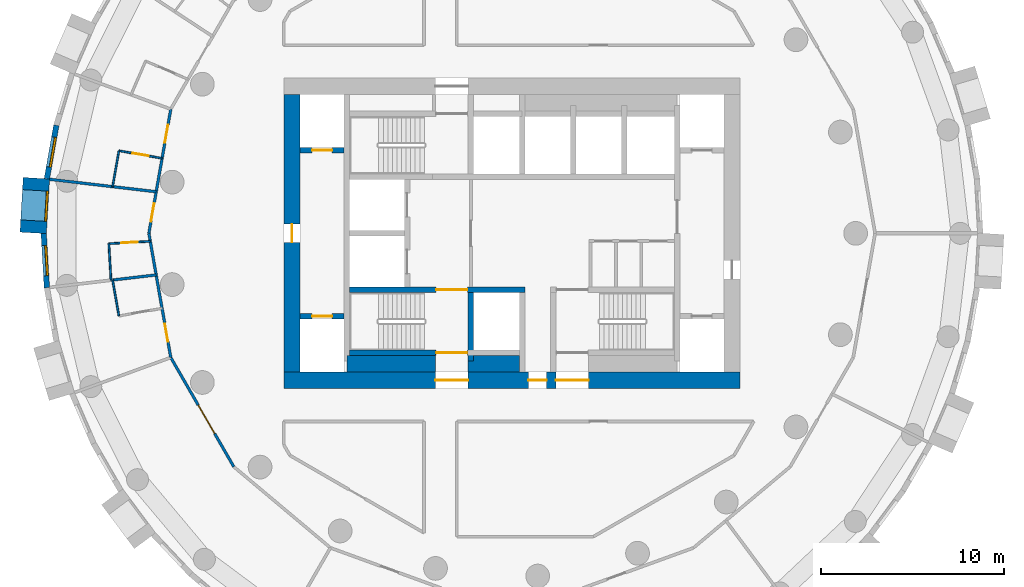
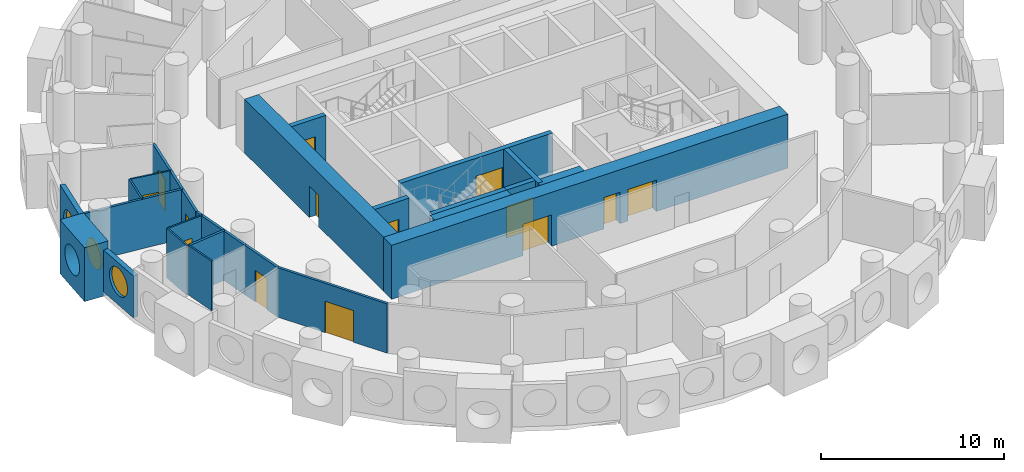
# One storey, part 3 of 10: 24 walls, 14 doors, 3 windows, 17 openings.
"""IFC4 building model written with IfcOpenShell, lengths in metres."""

from ifc_helpers import new_model, si_unit, direction, frame, frame_2d, origin, origin_2d, place, context, subcontext, project, spatial, rectangle, circle, extrude, material, layer, layer_set, type_object, element, fill, save


model = new_model("IFC4")

# Units and contexts
model_context = context("Model", 3, precision=1e-05, world=origin(), true_north=direction((0.0, 1.0)))
body_context = subcontext(model_context, "Body", "Model", "MODEL_VIEW")
ifc_project = project(units=[si_unit("LENGTHUNIT", "METRE"), si_unit("AREAUNIT", "SQUARE_METRE"), si_unit("VOLUMEUNIT", "CUBIC_METRE"), si_unit("PLANEANGLEUNIT", "RADIAN"), si_unit("MASSUNIT", "GRAM", prefix="KILO")], contexts=[model_context])

# Site, building, storey
site_placement = place(None, origin())
site = spatial("IfcSite", under=ifc_project, at=site_placement, CompositionType="ELEMENT")
building_placement = place(site_placement, origin())
building = spatial("IfcBuilding", under=site, at=building_placement, Name="Tracery Tower", CompositionType="ELEMENT")
storey_placement = place(building_placement, frame((0.0, 0.0, 136.800048828125)))
storey = spatial("IfcBuildingStorey", under=building, at=storey_placement, Name="L34", CompositionType="ELEMENT", Elevation=136.800048828125)

# Walls
ifc_material_1 = material(Name="Concrete C50/60", Category="concrete")
ifc_layer_1 = layer(ifc_material_1, 0.89990234375)
ifc_layer_set_1 = layer_set([ifc_layer_1], Name="Core strip wall 900 C50")
wall_type_1 = type_object("IfcWallType", Name="Core strip wall 900 C50", PredefinedType="SOLIDWALL", material=ifc_layer_set_1)
wall_1_placement = place(storey_placement, frame((-9.050048828125, -7.14990234375, 0.0), z_axis=(0.0, 0.0, 1.0), x_axis=(1.0, 0.0, 0.0)))
element("IfcWall", 1, at=wall_1_placement, inside=storey, type_object=wall_type_1, Name="L34 F thick S W", PredefinedType="SOLIDWALL", context=body_context, shape_type="SweptSolid", body=[
    extrude(rectangle(XDim=4.85009765625, YDim=0.89990234375, at=frame_2d((2.425048828125, 0.0))), origin(), (0.0, 0.0, 1.0), 3.300048828125),
])
wall_2_placement = place(storey_placement, frame((-2.39990234375, -7.14990234375, 0.0), z_axis=(0.0, 0.0, 1.0), x_axis=(1.0, 0.0, 0.0)))
element("IfcWall", 2, at=wall_2_placement, inside=storey, type_object=wall_type_1, Name="L34 F thick S mid", PredefinedType="SOLIDWALL", context=body_context, shape_type="SweptSolid", body=[
    extrude(rectangle(XDim=2.7998046875, YDim=0.89990234375, at=frame_2d((1.39990234375, 0.0))), origin(), (0.0, 0.0, 1.0), 3.300048828125),
])

# Wall, openings, doors
ifc_material_2 = material(Name="Concrete C50/60", Category="concrete")
ifc_layer_2 = layer(ifc_material_2, 0.89990234375)
ifc_layer_set_2 = layer_set([ifc_layer_2], Name="Core wall 900 C50")
wall_type_2 = type_object("IfcWallType", Name="Core wall 900 C50", PredefinedType="SOLIDWALL", material=ifc_layer_set_2)
wall_3_placement = place(storey_placement, frame((-12.5, -8.050048828125, 0.0), z_axis=(0.0, 0.0, 1.0), x_axis=(1.0, 0.0, 0.0)))
wall_3 = element("IfcWall", 3, at=wall_3_placement, inside=storey, type_object=wall_type_2, Name="L34 outer S", PredefinedType="SOLIDWALL", context=body_context, shape_type="SweptSolid", body=[
    extrude(rectangle(XDim=25.0, YDim=0.89990234375, at=frame_2d((12.5, 0.0))), origin(), (0.0, 0.0, 1.0), 3.599853515625),
])
opening_1_placement = place(wall_3_placement, frame((13.39990234375, 0.0, 0.0)))
opening_1 = element("IfcOpeningElement", 4, at=opening_1_placement, cuts=wall_3, Name="Opening KD16", PredefinedType="OPENING", context=body_context, shape_type="SweptSolid", body=[
    extrude(rectangle(XDim=1.0, YDim=2.10009765625, at=frame_2d((0.5, 1.050048828125))), frame((0.0, 0.449951171875, 0.0), z_axis=(0.0, -1.0, 0.0), x_axis=(1.0, 0.0, 0.0)), (0.0, 0.0, 1.0), 0.89990234375),
])
opening_2_placement = place(wall_3_placement, frame((8.300048828125, 0.0, 0.0)))
opening_2 = element("IfcOpeningElement", 5, at=opening_2_placement, cuts=wall_3, Name="Opening KD13", PredefinedType="OPENING", context=body_context, shape_type="SweptSolid", body=[
    extrude(rectangle(XDim=1.800048828125, YDim=2.10009765625, at=frame_2d((0.89990234375, 1.050048828125))), frame((0.0, 0.449951171875, 0.0), z_axis=(0.0, -1.0, 0.0), x_axis=(1.0, 0.0, 0.0)), (0.0, 0.0, 1.0), 0.89990234375),
])
opening_3_placement = place(wall_3_placement, frame((14.89990234375, 0.0, 0.0)))
opening_3 = element("IfcOpeningElement", 6, at=opening_3_placement, cuts=wall_3, Name="Opening KD13", PredefinedType="OPENING", context=body_context, shape_type="SweptSolid", body=[
    extrude(rectangle(XDim=1.800048828125, YDim=2.10009765625, at=frame_2d((0.89990234375, 1.050048828125))), frame((0.0, 0.449951171875, 0.0), z_axis=(0.0, -1.0, 0.0), x_axis=(1.0, 0.0, 0.0)), (0.0, 0.0, 1.0), 0.89990234375),
])
ifc_material_3 = material(Name="Steel fire door", Category="steel")
door_type_1 = type_object("IfcDoorType", Name="Core exit door 1000", OperationType="NOTDEFINED", PredefinedType="DOOR", material=ifc_material_3)
door_1_placement = place(opening_1_placement, origin())
door_1 = element("IfcDoor", 7, at=door_1_placement, inside=storey, type_object=door_type_1, Name="Core exit door", OperationType="SINGLE_SWING_LEFT", OverallHeight=2.10009765625, OverallWidth=1.0, PredefinedType="DOOR", context=body_context, shape_type="SweptSolid", body=[
    extrude(rectangle(XDim=1.0, YDim=2.10009765625, at=frame_2d((0.5, 1.050048828125))), frame((0.0, 0.02490234375, 0.0), z_axis=(0.0, -1.0, 0.0), x_axis=(1.0, 0.0, 0.0)), (0.0, 0.0, 1.0), 0.050048828125),
])
fill(opening_1, door_1)
ifc_material_4 = material(Name="Steel fire door", Category="steel")
door_type_2 = type_object("IfcDoorType", Name="Core exit door 1800 double", OperationType="NOTDEFINED", PredefinedType="DOOR", material=ifc_material_4)
door_2_placement = place(opening_2_placement, origin())
door_2 = element("IfcDoor", 8, at=door_2_placement, inside=storey, type_object=door_type_2, Name="Core exit door", OperationType="DOUBLE_DOOR_SINGLE_SWING", OverallHeight=2.10009765625, OverallWidth=1.800048828125, PredefinedType="DOOR", context=body_context, shape_type="SweptSolid", body=[
    extrude(rectangle(XDim=1.800048828125, YDim=2.10009765625, at=frame_2d((0.89990234375, 1.050048828125))), frame((0.0, 0.02490234375, 0.0), z_axis=(0.0, -1.0, 0.0), x_axis=(1.0, 0.0, 0.0)), (0.0, 0.0, 1.0), 0.050048828125),
])
fill(opening_2, door_2)
door_3_placement = place(opening_3_placement, origin())
door_3 = element("IfcDoor", 9, at=door_3_placement, inside=storey, type_object=door_type_2, Name="Core exit door", OperationType="DOUBLE_DOOR_SINGLE_SWING", OverallHeight=2.10009765625, OverallWidth=1.800048828125, PredefinedType="DOOR", context=body_context, shape_type="SweptSolid", body=[
    extrude(rectangle(XDim=1.800048828125, YDim=2.10009765625, at=frame_2d((0.89990234375, 1.050048828125))), frame((0.0, 0.02490234375, 0.0), z_axis=(0.0, -1.0, 0.0), x_axis=(1.0, 0.0, 0.0)), (0.0, 0.0, 1.0), 0.050048828125),
])
fill(opening_3, door_3)

# Wall, opening, door
wall_4_placement = place(storey_placement, frame((-12.050048828125, -7.60009765625, 0.0), z_axis=(0.0, 0.0, 1.0), x_axis=(0.0, 1.0, 0.0)))
wall_4 = element("IfcWall", 10, at=wall_4_placement, inside=storey, type_object=wall_type_2, Name="L34 outer W", PredefinedType="SOLIDWALL", context=body_context, shape_type="SweptSolid", body=[
    extrude(rectangle(XDim=15.2001953125, YDim=0.89990234375, at=frame_2d((7.60009765625, 0.0))), origin(), (0.0, 0.0, 1.0), 3.599853515625),
])
opening_4_placement = place(wall_4_placement, frame((7.10009765625, 0.0, 0.0)))
opening_4 = element("IfcOpeningElement", 11, at=opening_4_placement, cuts=wall_4, Name="Opening KD18", PredefinedType="OPENING", context=body_context, shape_type="SweptSolid", body=[
    extrude(rectangle(XDim=1.0, YDim=2.10009765625, at=frame_2d((0.5, 1.050048828125))), frame((0.0, 0.449951171875, 0.0), z_axis=(0.0, -1.0, 0.0), x_axis=(1.0, 0.0, 0.0)), (0.0, 0.0, 1.0), 0.89990234375),
])
door_4_placement = place(opening_4_placement, origin())
door_4 = element("IfcDoor", 12, at=door_4_placement, inside=storey, type_object=door_type_1, Name="Core exit door", OperationType="DOUBLE_DOOR_SINGLE_SWING", OverallHeight=2.10009765625, OverallWidth=1.0, PredefinedType="DOOR", context=body_context, shape_type="SweptSolid", body=[
    extrude(rectangle(XDim=1.0, YDim=2.10009765625, at=frame_2d((0.5, 1.050048828125))), frame((0.0, 0.02490234375, 0.0), z_axis=(0.0, -1.0, 0.0), x_axis=(1.0, 0.0, 0.0)), (0.0, 0.0, 1.0), 0.050048828125),
])
fill(opening_4, door_4)

# Wall, opening, window
ifc_material_5 = material(Name="Precast concrete C50/60", Category="concrete")
ifc_layer_3 = layer(ifc_material_5, 1.449951171875)
ifc_layer_set_3 = layer_set([ifc_layer_3], Name="Deep-set bay unit 3000 x 3600, slab edge 300")
wall_type_3 = type_object("IfcWallType", Name="Deep-set bay unit 3000 x 3600, slab edge 300", PredefinedType="ELEMENTEDWALL", material=ifc_layer_set_3)
wall_5_placement = place(storey_placement, frame((-26.047607421875, 3.01953125, -0.300048828125), z_axis=(0.0, 0.0, 1.0), x_axis=(-0.058106596105, -0.998310384344, 0.0)))
wall_5 = element("IfcWall", 13, at=wall_5_placement, inside=storey, type_object=wall_type_3, Name="Deep-set bay unit 27 at L34", PredefinedType="ELEMENTEDWALL", context=body_context, shape_type="SweptSolid", body=[
    extrude(rectangle(XDim=3.0, YDim=1.449951171875, at=frame_2d((1.5, 0.0))), origin(), (0.0, 0.0, 1.0), 3.60009765625),
])
opening_5_placement = place(wall_5_placement, frame((1.5, 0.0, 1.85009765625)))
opening_5 = element("IfcOpeningElement", 14, at=opening_5_placement, cuts=wall_5, Name="Opening WN1", PredefinedType="OPENING", context=body_context, shape_type="SweptSolid", body=[
    extrude(circle(Radius=0.9000244140625, at=origin_2d()), frame((0.0, 0.73486328125, 0.0), z_axis=(0.0, -1.0, 0.0), x_axis=(1.0, 0.0, 0.0)), (0.0, 0.0, 1.0), 1.469970703125),
])
ifc_material_6 = material(Name="Aluminium frame with tinted double glazing", Category="aluminium")
window_type = type_object("IfcWindowType", Name="Round window 1800", PartitioningType="SINGLE_PANEL", PredefinedType="WINDOW", material=ifc_material_6)
window_1_placement = place(opening_5_placement, origin())
window_1 = element("IfcWindow", 15, at=window_1_placement, inside=storey, type_object=window_type, Name="Round window 27 at L34", OverallHeight=1.800048828125, OverallWidth=1.800048828125, PartitioningType="SINGLE_PANEL", PredefinedType="WINDOW", context=body_context, shape_type="SweptSolid", body=[
    extrude(circle(Radius=0.9000244140625, at=origin_2d()), frame((0.0, 0.69482421875, 0.0), z_axis=(0.0, -1.0, 0.0), x_axis=(1.0, 0.0, 0.0)), (0.0, 0.0, 1.0), 0.10009765625),
])
fill(opening_5, window_1)

ifc_material_7 = material(Name="Precast concrete C50/60", Category="concrete")
ifc_layer_4 = layer(ifc_material_7, 0.300048828125)
ifc_layer_set_4 = layer_set([ifc_layer_4], Name="Facade panel 3000 x 2800")
wall_type_4 = type_object("IfcWallType", Name="Facade panel 3000 x 2800", PredefinedType="SOLIDWALL", material=ifc_layer_set_4)
wall_6_placement = place(storey_placement, frame((-25.64697265625, -0.009521484375, 0.0), z_axis=(0.0, 0.0, 1.0), x_axis=(0.058139540521, -0.998308466271, 0.0)))
wall_6 = element("IfcWall", 16, at=wall_6_placement, inside=storey, type_object=wall_type_4, Name="Facade panel 28 at L34", PredefinedType="SOLIDWALL", context=body_context, shape_type="SweptSolid", body=[
    extrude(rectangle(XDim=2.97314453125, YDim=0.300048828125, at=frame_2d((1.486572265625, 0.0))), origin(), (0.0, 0.0, 1.0), 2.800048828125),
])
opening_6_placement = place(wall_6_placement, frame((1.486328125, 0.0, 1.5498046875)))
opening_6 = element("IfcOpeningElement", 17, at=opening_6_placement, cuts=wall_6, Name="Opening WN1", PredefinedType="OPENING", context=body_context, shape_type="SweptSolid", body=[
    extrude(circle(Radius=0.9000244140625, at=origin_2d()), frame((0.0, 0.159912109375, 0.0), z_axis=(0.0, -1.0, 0.0), x_axis=(1.0, 0.0, 0.0)), (0.0, 0.0, 1.0), 0.320068359375),
])
window_2_placement = place(opening_6_placement, origin())
window_2 = element("IfcWindow", 18, at=window_2_placement, inside=storey, type_object=window_type, Name="Round window 28 at L34", OverallHeight=1.800048828125, OverallWidth=1.800048828125, PartitioningType="SINGLE_PANEL", PredefinedType="WINDOW", context=body_context, shape_type="SweptSolid", body=[
    extrude(circle(Radius=0.9000244140625, at=origin_2d()), frame((0.0, 0.1201171875, 0.0), z_axis=(0.0, -1.0, 0.0), x_axis=(1.0, 0.0, 0.0)), (0.0, 0.0, 1.0), 0.10009765625),
])
fill(opening_6, window_2)

ifc_material_8 = material(Name="Precast concrete C50/60", Category="concrete")
ifc_layer_5 = layer(ifc_material_8, 0.300048828125)
ifc_layer_set_5 = layer_set([ifc_layer_5], Name="Facade panel 3000 x 3300")
wall_type_5 = type_object("IfcWallType", Name="Facade panel 3000 x 3300", PredefinedType="SOLIDWALL", material=ifc_layer_set_5)
wall_7_placement = place(storey_placement, frame((-24.9560546875, 5.914794921875, 0.0), z_axis=(0.0, 0.0, 1.0), x_axis=(-0.173686952598, -0.984800915159, 0.0)))
wall_7 = element("IfcWall", 19, at=wall_7_placement, inside=storey, type_object=wall_type_5, Name="Facade panel 26 at L34", PredefinedType="SOLIDWALL", context=body_context, shape_type="SweptSolid", body=[
    extrude(rectangle(XDim=2.972900390625, YDim=0.300048828125, at=frame_2d((1.486328125, 0.0))), origin(), (0.0, 0.0, 1.0), 3.300048828125),
])
opening_7_placement = place(wall_7_placement, frame((1.486328125, 0.0, 1.5498046875)))
opening_7 = element("IfcOpeningElement", 20, at=opening_7_placement, cuts=wall_7, Name="Opening WN1", PredefinedType="OPENING", context=body_context, shape_type="SweptSolid", body=[
    extrude(circle(Radius=0.9000244140625, at=origin_2d()), frame((0.0, 0.159912109375, 0.0), z_axis=(0.0, -1.0, 0.0), x_axis=(1.0, 0.0, 0.0)), (0.0, 0.0, 1.0), 0.320068359375),
])
window_3_placement = place(opening_7_placement, origin())
window_3 = element("IfcWindow", 21, at=window_3_placement, inside=storey, type_object=window_type, Name="Round window 26 at L34", OverallHeight=1.800048828125, OverallWidth=1.800048828125, PartitioningType="SINGLE_PANEL", PredefinedType="WINDOW", context=body_context, shape_type="SweptSolid", body=[
    extrude(circle(Radius=0.9000244140625, at=origin_2d()), frame((0.0, 0.1201171875, 0.0), z_axis=(0.0, -1.0, 0.0), x_axis=(1.0, 0.0, 0.0)), (0.0, 0.0, 1.0), 0.10009765625),
])
fill(opening_7, window_3)

# Wall, opening, door
ifc_material_9 = material(Name="Plasterboard on steel studs", Category="steel")
ifc_layer_6 = layer(ifc_material_9, 0.10009765625)
ifc_layer_set_6 = layer_set([ifc_layer_6], Name="Partition 100 wet wall")
wall_type_6 = type_object("IfcWallType", Name="Partition 100 wet wall", PredefinedType="PARTITIONING", material=ifc_layer_set_6)
wall_8_placement = place(storey_placement, frame((-21.527099609375, 4.52392578125, 0.0), z_axis=(0.0, 0.0, 1.0), x_axis=(0.9848663854, -0.173315327969, 0.0)))
wall_8 = element("IfcWall", 22, at=wall_8_placement, inside=storey, type_object=wall_type_6, Name="Wet wall RB2-067", PredefinedType="PARTITIONING", context=body_context, shape_type="SweptSolid", body=[
    extrude(rectangle(XDim=2.400390625, YDim=0.10009765625, at=frame_2d((1.2001953125, 0.0))), origin(), (0.0, 0.0, 1.0), 3.300048828125),
])
opening_8_placement = place(wall_8_placement, frame((0.750244140625, 0.0, 0.0)))
opening_8 = element("IfcOpeningElement", 23, at=opening_8_placement, cuts=wall_8, Name="Opening RB2-22", PredefinedType="OPENING", context=body_context, shape_type="SweptSolid", body=[
    extrude(rectangle(XDim=0.89990234375, YDim=2.0400390625, at=frame_2d((0.449951171875, 1.02001953125))), frame((0.0, 0.050048828125, 0.0), z_axis=(0.0, -1.0, 0.0), x_axis=(1.0, 0.0, 0.0)), (0.0, 0.0, 1.0), 0.10009765625),
])
ifc_material_10 = material(Name="Timber door leaf", Category="wood")
door_type_3 = type_object("IfcDoorType", Name="Door en-suite 900", OperationType="NOTDEFINED", PredefinedType="DOOR", material=ifc_material_10)
door_5_placement = place(opening_8_placement, origin())
door_5 = element("IfcDoor", 24, at=door_5_placement, inside=storey, type_object=door_type_3, Name="En-suite door RB2-22", OperationType="SINGLE_SWING_LEFT", OverallHeight=2.0400390625, OverallWidth=0.89990234375, PredefinedType="DOOR", context=body_context, shape_type="SweptSolid", body=[
    extrude(rectangle(XDim=0.89990234375, YDim=2.0400390625, at=frame_2d((0.449951171875, 1.02001953125))), frame((0.0, 0.02490234375, 0.0), z_axis=(0.0, -1.0, 0.0), x_axis=(1.0, 0.0, 0.0)), (0.0, 0.0, 1.0), 0.050048828125),
])
fill(opening_8, door_5)

# Wall
wall_9_placement = place(storey_placement, frame((-21.8740234375, 2.556884765625, 0.0), z_axis=(0.0, 0.0, 1.0), x_axis=(0.17368771375, 0.984800780916, 0.0)))
element("IfcWall", 25, at=wall_9_placement, inside=storey, type_object=wall_type_6, Name="Wet wall RB2-068", PredefinedType="PARTITIONING", context=body_context, shape_type="SweptSolid", body=[
    extrude(rectangle(XDim=1.997314453125, YDim=0.10009765625, at=frame_2d((0.99853515625, 0.0))), origin(), (0.0, 0.0, 1.0), 3.300048828125),
])

# Wall, opening, door
wall_10_placement = place(storey_placement, frame((-22.0791015625, -0.56689453125, 0.0), z_axis=(0.0, 0.0, 1.0), x_axis=(0.998314893836, 0.058029068102, 0.0)))
wall_10 = element("IfcWall", 26, at=wall_10_placement, inside=storey, type_object=wall_type_6, Name="Wet wall RB2-070", PredefinedType="PARTITIONING", context=body_context, shape_type="SweptSolid", body=[
    extrude(rectangle(XDim=2.27197265625, YDim=0.10009765625, at=frame_2d((1.135986328125, 0.0))), origin(), (0.0, 0.0, 1.0), 3.300048828125),
])
opening_9_placement = place(wall_10_placement, frame((0.685791015625, 0.0, 0.0)))
opening_9 = element("IfcOpeningElement", 27, at=opening_9_placement, cuts=wall_10, Name="Opening RB2-24", PredefinedType="OPENING", context=body_context, shape_type="SweptSolid", body=[
    extrude(rectangle(XDim=0.89990234375, YDim=2.0400390625, at=frame_2d((0.449951171875, 1.02001953125))), frame((0.0, 0.050048828125, 0.0), z_axis=(0.0, -1.0, 0.0), x_axis=(1.0, 0.0, 0.0)), (0.0, 0.0, 1.0), 0.10009765625),
])
door_6_placement = place(opening_9_placement, origin())
door_6 = element("IfcDoor", 28, at=door_6_placement, inside=storey, type_object=door_type_3, Name="En-suite door RB2-24", OperationType="SINGLE_SWING_RIGHT", OverallHeight=2.0400390625, OverallWidth=0.89990234375, PredefinedType="DOOR", context=body_context, shape_type="SweptSolid", body=[
    extrude(rectangle(XDim=0.89990234375, YDim=2.0400390625, at=frame_2d((0.449951171875, 1.02001953125))), frame((0.0, 0.02490234375, 0.0), z_axis=(0.0, -1.0, 0.0), x_axis=(1.0, 0.0, 0.0)), (0.0, 0.0, 1.0), 0.050048828125),
])
fill(opening_9, door_6)

# Walls
wall_11_placement = place(storey_placement, frame((-22.0791015625, -0.56689453125, 0.0), z_axis=(0.0, 0.0, 1.0), x_axis=(0.058493425416, -0.998287793766, 0.0)))
element("IfcWall", 29, at=wall_11_placement, inside=storey, type_object=wall_type_6, Name="Wet wall RB2-071", PredefinedType="PARTITIONING", context=body_context, shape_type="SweptSolid", body=[
    extrude(rectangle(XDim=2.00341796875, YDim=0.10009765625, at=frame_2d((1.001708984375, 0.0))), origin(), (0.0, 0.0, 1.0), 3.300048828125),
])
wall_12_placement = place(storey_placement, frame((-21.8740234375, -2.556884765625, 0.0), z_axis=(0.0, 0.0, 1.0), x_axis=(0.17368771375, -0.984800780916, 0.0)))
element("IfcWall", 30, at=wall_12_placement, inside=storey, type_object=wall_type_6, Name="Wet wall RB2-074", PredefinedType="PARTITIONING", context=body_context, shape_type="SweptSolid", body=[
    extrude(rectangle(XDim=1.997314453125, YDim=0.10009765625, at=frame_2d((0.99853515625, 0.0))), origin(), (0.0, 0.0, 1.0), 3.300048828125),
])
ifc_material_11 = material(Name="Plasterboard on steel studs", Category="steel")
ifc_layer_7 = layer(ifc_material_11, 0.14990234375)
ifc_layer_set_7 = layer_set([ifc_layer_7], Name="Partition 150 acoustic unit wall")
wall_type_7 = type_object("IfcWallType", Name="Partition 150 acoustic unit wall", PredefinedType="PARTITIONING", material=ifc_layer_set_7)
wall_13_placement = place(storey_placement, frame((-25.324951171875, 2.9599609375, 0.0), z_axis=(0.0, 0.0, 1.0), x_axis=(0.993249747924, -0.115995423397, 0.0)))
element("IfcWall", 31, at=wall_13_placement, inside=storey, type_object=wall_type_7, Name="Unit wall RB2-069", PredefinedType="PARTITIONING", context=body_context, shape_type="SweptSolid", body=[
    extrude(rectangle(XDim=5.878662109375, YDim=0.14990234375, at=frame_2d((2.939453125, 0.0))), origin(), (0.0, 0.0, 1.0), 3.300048828125),
])
wall_14_placement = place(storey_placement, frame((-21.8779296875, -2.556884765625, 0.0), z_axis=(0.0, 0.0, 1.0), x_axis=(0.99327460921, 0.115782341913, 0.0)))
element("IfcWall", 32, at=wall_14_placement, inside=storey, type_object=wall_type_7, Name="Unit wall RB2-073", PredefinedType="PARTITIONING", context=body_context, shape_type="SweptSolid", body=[
    extrude(rectangle(XDim=2.407958984375, YDim=0.14990234375, at=frame_2d((1.2041015625, 0.0))), origin(), (0.0, 0.0, 1.0), 3.300048828125),
])

# Wall, openings, doors
ifc_material_12 = material(Name="Plasterboard on steel studs", Category="steel")
ifc_layer_8 = layer(ifc_material_12, 0.14990234375)
ifc_layer_set_8 = layer_set([ifc_layer_8], Name="Partition 150 corridor wall")
wall_type_8 = type_object("IfcWallType", Name="Partition 150 corridor wall", PredefinedType="PARTITIONING", material=ifc_layer_set_8)
wall_15_placement = place(storey_placement, frame((-19.88818359375, 0.0, 0.0), z_axis=(0.0, 0.0, 1.0), x_axis=(0.173763153374, 0.984787472772, 0.0)))
wall_15 = element("IfcWall", 33, at=wall_15_placement, inside=storey, type_object=wall_type_8, Name="Corridor wall RB2-027", PredefinedType="PARTITIONING", context=body_context, shape_type="SweptSolid", body=[
    extrude(rectangle(XDim=6.906982421875, YDim=0.14990234375, at=frame_2d((3.45361328125, 0.0))), origin(), (0.0, 0.0, 1.0), 3.300048828125),
])
opening_10_placement = place(wall_15_placement, frame((5.037353515625, 0.0, 0.0)))
opening_10 = element("IfcOpeningElement", 34, at=opening_10_placement, cuts=wall_15, Name="Opening RB2-23", PredefinedType="OPENING", context=body_context, shape_type="SweptSolid", body=[
    extrude(rectangle(XDim=1.0, YDim=2.10009765625, at=frame_2d((0.5, 1.050048828125))), frame((0.0, 0.074951171875, 0.0), z_axis=(0.0, -1.0, 0.0), x_axis=(1.0, 0.0, 0.0)), (0.0, 0.0, 1.0), 0.14990234375),
])
opening_11_placement = place(wall_15_placement, frame((0.658935546875, 0.0, 0.0)))
opening_11 = element("IfcOpeningElement", 35, at=opening_11_placement, cuts=wall_15, Name="Opening RB2-25", PredefinedType="OPENING", context=body_context, shape_type="SweptSolid", body=[
    extrude(rectangle(XDim=1.0, YDim=2.10009765625, at=frame_2d((0.5, 1.050048828125))), frame((0.0, 0.074951171875, 0.0), z_axis=(0.0, -1.0, 0.0), x_axis=(1.0, 0.0, 0.0)), (0.0, 0.0, 1.0), 0.14990234375),
])
ifc_material_13 = material(Name="Timber door leaf", Category="wood")
door_type_4 = type_object("IfcDoorType", Name="Door unit entrance 1000", OperationType="NOTDEFINED", PredefinedType="DOOR", material=ifc_material_13)
door_7_placement = place(opening_10_placement, origin())
door_7 = element("IfcDoor", 36, at=door_7_placement, inside=storey, type_object=door_type_4, Name="Unit entrance door RB2-23", OperationType="SINGLE_SWING_RIGHT", OverallHeight=2.10009765625, OverallWidth=1.0, PredefinedType="DOOR", context=body_context, shape_type="SweptSolid", body=[
    extrude(rectangle(XDim=1.0, YDim=2.10009765625, at=frame_2d((0.5, 1.050048828125))), frame((0.0, 0.02490234375, 0.0), z_axis=(0.0, -1.0, 0.0), x_axis=(1.0, 0.0, 0.0)), (0.0, 0.0, 1.0), 0.050048828125),
])
fill(opening_10, door_7)
door_8_placement = place(opening_11_placement, origin())
door_8 = element("IfcDoor", 37, at=door_8_placement, inside=storey, type_object=door_type_4, Name="Unit entrance door RB2-25", OperationType="SINGLE_SWING_RIGHT", OverallHeight=2.10009765625, OverallWidth=1.0, PredefinedType="DOOR", context=body_context, shape_type="SweptSolid", body=[
    extrude(rectangle(XDim=1.0, YDim=2.10009765625, at=frame_2d((0.5, 1.050048828125))), frame((0.0, 0.02490234375, 0.0), z_axis=(0.0, -1.0, 0.0), x_axis=(1.0, 0.0, 0.0)), (0.0, 0.0, 1.0), 0.050048828125),
])
fill(opening_11, door_8)

# Wall
wall_16_placement = place(storey_placement, frame((-19.887939453125, 0.0, 0.0), z_axis=(0.0, 0.0, 1.0), x_axis=(0.1727845501, -0.984959643461, 0.0)))
element("IfcWall", 38, at=wall_16_placement, inside=storey, type_object=wall_type_8, Name="Corridor wall RB2-028", PredefinedType="PARTITIONING", context=body_context, shape_type="SweptSolid", body=[
    extrude(rectangle(XDim=4.17529296875, YDim=0.14990234375, at=frame_2d((2.087646484375, 0.0))), origin(), (0.0, 0.0, 1.0), 3.300048828125),
])

# Wall, opening, door
wall_17_placement = place(storey_placement, frame((-19.1640625, -4.10400390625, 0.0), z_axis=(0.0, 0.0, 1.0), x_axis=(0.173770083029, -0.984786250028, 0.0)))
wall_17 = element("IfcWall", 39, at=wall_17_placement, inside=storey, type_object=wall_type_8, Name="Corridor wall RB2-029", PredefinedType="PARTITIONING", context=body_context, shape_type="SweptSolid", body=[
    extrude(rectangle(XDim=2.73974609375, YDim=0.14990234375, at=frame_2d((1.369873046875, 0.0))), origin(), (0.0, 0.0, 1.0), 3.300048828125),
])
opening_12_placement = place(wall_17_placement, frame((0.86962890625, 0.0, 0.0)))
opening_12 = element("IfcOpeningElement", 40, at=opening_12_placement, cuts=wall_17, Name="Opening RB2-27", PredefinedType="OPENING", context=body_context, shape_type="SweptSolid", body=[
    extrude(rectangle(XDim=1.0, YDim=2.10009765625, at=frame_2d((0.5, 1.050048828125))), frame((0.0, 0.074951171875, 0.0), z_axis=(0.0, -1.0, 0.0), x_axis=(1.0, 0.0, 0.0)), (0.0, 0.0, 1.0), 0.14990234375),
])
door_9_placement = place(opening_12_placement, origin())
door_9 = element("IfcDoor", 41, at=door_9_placement, inside=storey, type_object=door_type_4, Name="Unit entrance door RB2-27", OperationType="SINGLE_SWING_RIGHT", OverallHeight=2.10009765625, OverallWidth=1.0, PredefinedType="DOOR", context=body_context, shape_type="SweptSolid", body=[
    extrude(rectangle(XDim=1.0, YDim=2.10009765625, at=frame_2d((0.5, 1.050048828125))), frame((0.0, 0.02490234375, 0.0), z_axis=(0.0, -1.0, 0.0), x_axis=(1.0, 0.0, 0.0)), (0.0, 0.0, 1.0), 0.050048828125),
])
fill(opening_12, door_9)

wall_18_placement = place(storey_placement, frame((-18.68798828125, -6.802001953125, 0.0), z_axis=(0.0, 0.0, 1.0), x_axis=(0.499914202267, -0.866074933462, 0.0)))
wall_18 = element("IfcWall", 42, at=wall_18_placement, inside=storey, type_object=wall_type_8, Name="Corridor wall RB2-031", PredefinedType="PARTITIONING", context=body_context, shape_type="SweptSolid", body=[
    extrude(rectangle(XDim=6.906982421875, YDim=0.14990234375, at=frame_2d((3.45361328125, 0.0))), origin(), (0.0, 0.0, 1.0), 3.300048828125),
])
opening_13_placement = place(wall_18_placement, frame((3.003173828125, 0.0, 0.0)))
opening_13 = element("IfcOpeningElement", 43, at=opening_13_placement, cuts=wall_18, Name="Opening RB2-28", PredefinedType="OPENING", context=body_context, shape_type="SweptSolid", body=[
    extrude(rectangle(XDim=1.800048828125, YDim=2.10009765625, at=frame_2d((0.89990234375, 1.050048828125))), frame((0.0, 0.074951171875, 0.0), z_axis=(0.0, -1.0, 0.0), x_axis=(1.0, 0.0, 0.0)), (0.0, 0.0, 1.0), 0.14990234375),
])
ifc_material_14 = material(Name="Timber door leaf", Category="wood")
door_type_5 = type_object("IfcDoorType", Name="Door double lounge 1800", OperationType="NOTDEFINED", PredefinedType="DOOR", material=ifc_material_14)
door_10_placement = place(opening_13_placement, origin())
door_10 = element("IfcDoor", 44, at=door_10_placement, inside=storey, type_object=door_type_5, Name="Double lounge door RB2-28", OperationType="DOUBLE_DOOR_SINGLE_SWING", OverallHeight=2.10009765625, OverallWidth=1.800048828125, PredefinedType="DOOR", context=body_context, shape_type="SweptSolid", body=[
    extrude(rectangle(XDim=1.800048828125, YDim=2.10009765625, at=frame_2d((0.89990234375, 1.050048828125))), frame((0.0, 0.02490234375, 0.0), z_axis=(0.0, -1.0, 0.0), x_axis=(1.0, 0.0, 0.0)), (0.0, 0.0, 1.0), 0.050048828125),
])
fill(opening_13, door_10)

ifc_material_15 = material(Name="Concrete C50/60", Category="concrete")
ifc_layer_9 = layer(ifc_material_15, 0.300048828125)
ifc_layer_set_9 = layer_set([ifc_layer_9], Name="Shaft wall 300 C50")
wall_type_9 = type_object("IfcWallType", Name="Shaft wall 300 C50", PredefinedType="SOLIDWALL", material=ifc_layer_set_9)
wall_19_placement = place(storey_placement, frame((-11.60009765625, -4.550048828125, 0.0), z_axis=(0.0, 0.0, 1.0), x_axis=(1.0, 0.0, 0.0)))
wall_19 = element("IfcWall", 45, at=wall_19_placement, inside=storey, type_object=wall_type_9, Name="L34 MR W -4.55", PredefinedType="SOLIDWALL", context=body_context, shape_type="SweptSolid", body=[
    extrude(rectangle(XDim=2.400146484375, YDim=0.300048828125, at=frame_2d((1.2001953125, 0.0))), origin(), (0.0, 0.0, 1.0), 3.300048828125),
])
opening_14_placement = place(wall_19_placement, frame((0.64990234375, 0.0, 0.0)))
opening_14 = element("IfcOpeningElement", 46, at=opening_14_placement, cuts=wall_19, Name="Opening KD50", PredefinedType="OPENING", context=body_context, shape_type="SweptSolid", body=[
    extrude(rectangle(XDim=1.10009765625, YDim=2.10009765625, at=frame_2d((0.550048828125, 1.050048828125))), frame((0.0, 0.14990234375, 0.0), z_axis=(0.0, -1.0, 0.0), x_axis=(1.0, 0.0, 0.0)), (0.0, 0.0, 1.0), 0.300048828125),
])
ifc_material_16 = material(Name="Steel fire door", Category="steel")
door_type_6 = type_object("IfcDoorType", Name="Landing door 1100", OperationType="NOTDEFINED", PredefinedType="DOOR", material=ifc_material_16)
door_11_placement = place(opening_14_placement, origin())
door_11 = element("IfcDoor", 47, at=door_11_placement, inside=storey, type_object=door_type_6, Name="Landing door MR1", OperationType="SLIDING_TO_RIGHT", OverallHeight=2.10009765625, OverallWidth=1.10009765625, PredefinedType="DOOR", context=body_context, shape_type="SweptSolid", body=[
    extrude(rectangle(XDim=1.10009765625, YDim=2.10009765625, at=frame_2d((0.550048828125, 1.050048828125))), frame((0.0, 0.02490234375, 0.0), z_axis=(0.0, -1.0, 0.0), x_axis=(1.0, 0.0, 0.0)), (0.0, 0.0, 1.0), 0.050048828125),
])
fill(opening_14, door_11)

wall_20_placement = place(storey_placement, frame((-11.60009765625, 4.550048828125, 0.0), z_axis=(0.0, 0.0, 1.0), x_axis=(1.0, 0.0, 0.0)))
wall_20 = element("IfcWall", 48, at=wall_20_placement, inside=storey, type_object=wall_type_9, Name="L34 MR W +4.55", PredefinedType="SOLIDWALL", context=body_context, shape_type="SweptSolid", body=[
    extrude(rectangle(XDim=2.400146484375, YDim=0.300048828125, at=frame_2d((1.2001953125, 0.0))), origin(), (0.0, 0.0, 1.0), 3.300048828125),
])
opening_15_placement = place(wall_20_placement, frame((0.64990234375, 0.0, 0.0)))
opening_15 = element("IfcOpeningElement", 49, at=opening_15_placement, cuts=wall_20, Name="Opening KD49", PredefinedType="OPENING", context=body_context, shape_type="SweptSolid", body=[
    extrude(rectangle(XDim=1.10009765625, YDim=2.10009765625, at=frame_2d((0.550048828125, 1.050048828125))), frame((0.0, 0.14990234375, 0.0), z_axis=(0.0, -1.0, 0.0), x_axis=(1.0, 0.0, 0.0)), (0.0, 0.0, 1.0), 0.300048828125),
])
door_12_placement = place(opening_15_placement, origin())
door_12 = element("IfcDoor", 50, at=door_12_placement, inside=storey, type_object=door_type_6, Name="Landing door MR2", OperationType="SLIDING_TO_LEFT", OverallHeight=2.10009765625, OverallWidth=1.10009765625, PredefinedType="DOOR", context=body_context, shape_type="SweptSolid", body=[
    extrude(rectangle(XDim=1.10009765625, YDim=2.10009765625, at=frame_2d((0.550048828125, 1.050048828125))), frame((0.0, 0.02490234375, 0.0), z_axis=(0.0, -1.0, 0.0), x_axis=(1.0, 0.0, 0.0)), (0.0, 0.0, 1.0), 0.050048828125),
])
fill(opening_15, door_12)

ifc_material_17 = material(Name="Concrete C50/60", Category="concrete")
ifc_layer_10 = layer(ifc_material_17, 0.300048828125)
ifc_layer_set_10 = layer_set([ifc_layer_10], Name="Stair wall 300 C50")
wall_type_10 = type_object("IfcWallType", Name="Stair wall 300 C50", PredefinedType="SOLIDWALL", material=ifc_layer_set_10)
wall_21_placement = place(storey_placement, frame((-8.89990234375, -3.10009765625, 0.0), z_axis=(0.0, 0.0, 1.0), x_axis=(1.0, 0.0, 0.0)))
wall_21 = element("IfcWall", 51, at=wall_21_placement, inside=storey, type_object=wall_type_10, Name="L34 row S", PredefinedType="SOLIDWALL", context=body_context, shape_type="SweptSolid", body=[
    extrude(rectangle(XDim=9.599853515625, YDim=0.300048828125, at=frame_2d((4.7998046875, 0.0))), origin(), (0.0, 0.0, 1.0), 3.300048828125),
])
opening_16_placement = place(wall_21_placement, frame((4.75, 0.0, 0.0)))
opening_16 = element("IfcOpeningElement", 52, at=opening_16_placement, cuts=wall_21, Name="Opening KD3", PredefinedType="OPENING", context=body_context, shape_type="SweptSolid", body=[
    extrude(rectangle(XDim=1.699951171875, YDim=2.10009765625, at=frame_2d((0.85009765625, 1.050048828125))), frame((0.0, 0.14990234375, 0.0), z_axis=(0.0, -1.0, 0.0), x_axis=(1.0, 0.0, 0.0)), (0.0, 0.0, 1.0), 0.300048828125),
])
ifc_material_18 = material(Name="Steel fire door", Category="steel")
door_type_7 = type_object("IfcDoorType", Name="Core stair door 1700 double", OperationType="NOTDEFINED", PredefinedType="DOOR", material=ifc_material_18)
door_13_placement = place(opening_16_placement, origin())
door_13 = element("IfcDoor", 53, at=door_13_placement, inside=storey, type_object=door_type_7, Name="Stair door ST1", OperationType="DOUBLE_DOOR_SINGLE_SWING", OverallHeight=2.10009765625, OverallWidth=1.699951171875, PredefinedType="DOOR", context=body_context, shape_type="SweptSolid", body=[
    extrude(rectangle(XDim=1.699951171875, YDim=2.10009765625, at=frame_2d((0.85009765625, 1.050048828125))), frame((0.0, 0.02490234375, 0.0), z_axis=(0.0, -1.0, 0.0), x_axis=(1.0, 0.0, 0.0)), (0.0, 0.0, 1.0), 0.050048828125),
])
fill(opening_16, door_13)

# Walls
wall_22_placement = place(storey_placement, frame((-2.25, -7.0, 0.0), z_axis=(0.0, 0.0, 1.0), x_axis=(0.0, 1.0, 0.0)))
element("IfcWall", 54, at=wall_22_placement, inside=storey, type_object=wall_type_10, Name="L34 ST1 E", PredefinedType="SOLIDWALL", context=body_context, shape_type="SweptSolid", body=[
    extrude(rectangle(XDim=3.75, YDim=0.300048828125, at=frame_2d((1.875, 0.0))), origin(), (0.0, 0.0, 1.0), 3.300048828125),
])
wall_23_placement = place(storey_placement, frame((-8.89990234375, -6.550048828125, 0.0), z_axis=(0.0, 0.0, 1.0), x_axis=(1.0, 0.0, 0.0)))
element("IfcWall", 55, at=wall_23_placement, inside=storey, type_object=wall_type_10, Name="L34 F stair strip S W", PredefinedType="SOLIDWALL", context=body_context, shape_type="SweptSolid", body=[
    extrude(rectangle(XDim=4.699951171875, YDim=0.300048828125, at=frame_2d((2.35009765625, 0.0))), origin(), (0.0, 0.0, 1.0), 3.300048828125),
])

# Wall, opening, door
wall_24_placement = place(storey_placement, frame((-4.199951171875, -6.550048828125, 0.0), z_axis=(0.0, 0.0, 1.0), x_axis=(1.0, 0.0, 0.0)))
wall_24 = element("IfcWall", 56, at=wall_24_placement, inside=storey, type_object=wall_type_10, Name="L34 F stair S W", PredefinedType="SOLIDWALL", context=body_context, shape_type="SweptSolid", body=[
    extrude(rectangle(XDim=1.800048828125, YDim=0.300048828125, at=frame_2d((0.89990234375, 0.0))), origin(), (0.0, 0.0, 1.0), 3.300048828125),
])
opening_17_placement = place(wall_24_placement, frame((0.050048828125, 0.0, 0.0)))
opening_17 = element("IfcOpeningElement", 57, at=opening_17_placement, cuts=wall_24, Name="Opening KD3", PredefinedType="OPENING", context=body_context, shape_type="SweptSolid", body=[
    extrude(rectangle(XDim=1.699951171875, YDim=2.10009765625, at=frame_2d((0.85009765625, 1.050048828125))), frame((0.0, 0.14990234375, 0.0), z_axis=(0.0, -1.0, 0.0), x_axis=(1.0, 0.0, 0.0)), (0.0, 0.0, 1.0), 0.300048828125),
])
door_14_placement = place(opening_17_placement, origin())
door_14 = element("IfcDoor", 58, at=door_14_placement, inside=storey, type_object=door_type_7, Name="Stair door vest", OperationType="DOUBLE_DOOR_SINGLE_SWING", OverallHeight=2.10009765625, OverallWidth=1.699951171875, PredefinedType="DOOR", context=body_context, shape_type="SweptSolid", body=[
    extrude(rectangle(XDim=1.699951171875, YDim=2.10009765625, at=frame_2d((0.85009765625, 1.050048828125))), frame((0.0, 0.02490234375, 0.0), z_axis=(0.0, -1.0, 0.0), x_axis=(1.0, 0.0, 0.0)), (0.0, 0.0, 1.0), 0.050048828125),
])
fill(opening_17, door_14)

save(model, "model.ifc")
